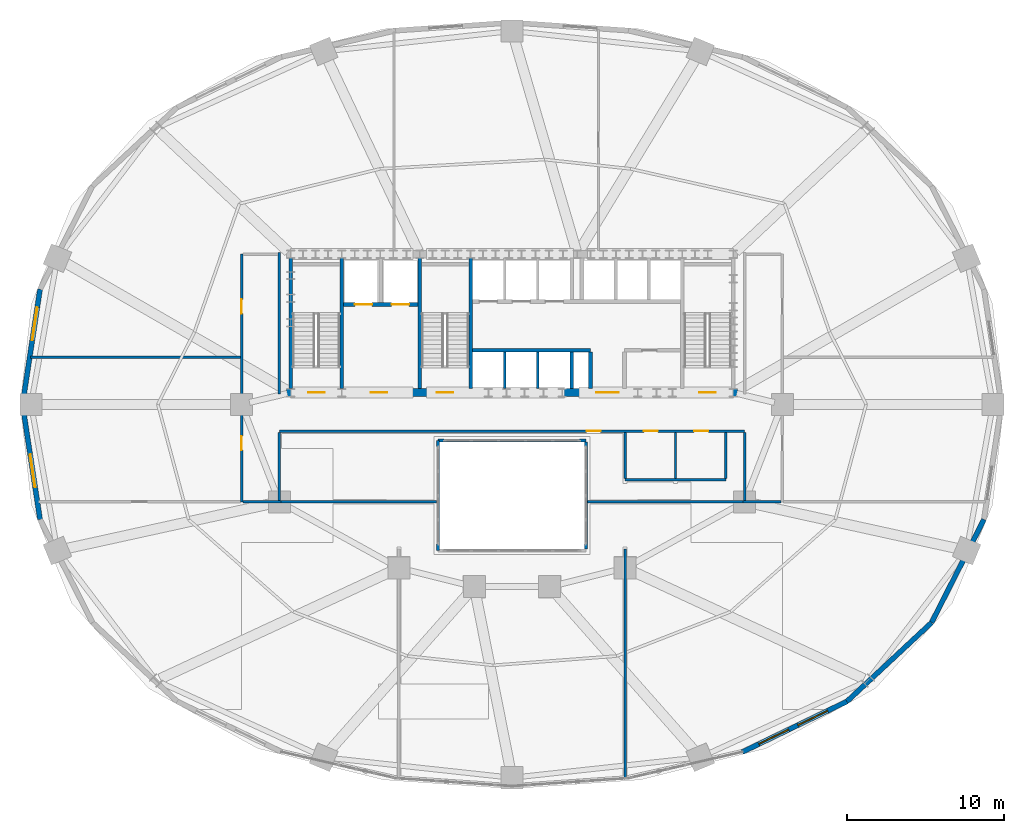
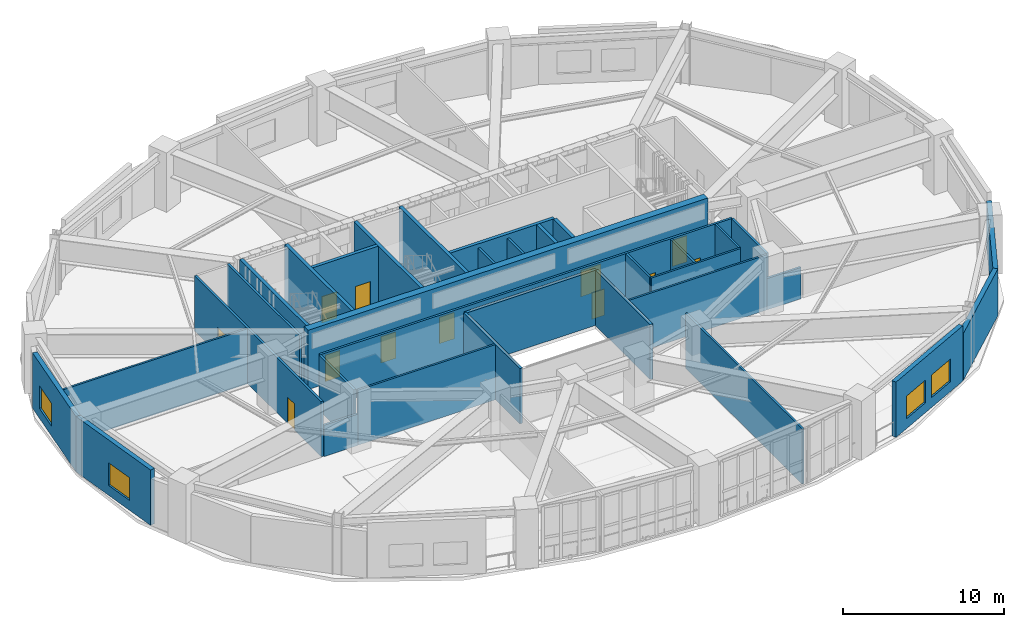
# One storey, part 9 of 13: 34 walls, 12 doors, 4 windows, 16 openings.
"""IFC4 building model written with IfcOpenShell, lengths in metres."""

from ifc_helpers import new_model, si_unit, direction, frame, frame_2d, origin, place, context, subcontext, project, spatial, rectangle, extrude, material, layer, layer_set, type_object, element, fill, save


model = new_model("IFC4")

# Units and contexts
model_context = context("Model", 3, precision=1e-05, world=origin(), true_north=direction((0.0, 1.0)))
body_context = subcontext(model_context, "Body", "Model", "MODEL_VIEW")
ifc_project = project(units=[si_unit("LENGTHUNIT", "METRE"), si_unit("AREAUNIT", "SQUARE_METRE"), si_unit("VOLUMEUNIT", "CUBIC_METRE"), si_unit("PLANEANGLEUNIT", "RADIAN"), si_unit("MASSUNIT", "GRAM", prefix="KILO")], contexts=[model_context])

# Site, building, storey
site_placement = place(None, origin())
site = spatial("IfcSite", under=ifc_project, at=site_placement, CompositionType="ELEMENT")
building_placement = place(site_placement, origin())
building = spatial("IfcBuilding", under=site, at=building_placement, Name="Haldorwick Loom Tower", CompositionType="ELEMENT")
storey_placement = place(building_placement, frame((0.0, 0.0, 72.300048828125)))
storey = spatial("IfcBuildingStorey", under=building, at=storey_placement, Name="L19", CompositionType="ELEMENT", Elevation=72.300048828125)

# Wall, opening, window
ifc_material_1 = material(Name="Pressed Clay Face Brick and Insulated Masonry Backup Assembly", Category="masonry")
ifc_layer_1 = layer(ifc_material_1, 0.320068359375, Name="Pressed Clay Face Brick and Insulated Masonry Backup Assembly", Category="masonry")
ifc_layer_set_1 = layer_set([ifc_layer_1], Name="Pressed Clay Face Brick and Insulated Masonry Backup Assembly")
wall_type_1 = type_object("IfcWallType", Name="ARC-WL-EXT320", PredefinedType="STANDARD", material=ifc_layer_set_1)
wall_1_placement = place(storey_placement, frame((5.978271484375, 33.320556640625, 0.0), z_axis=(0.0, 0.0, 1.0), x_axis=(-0.150476322528, -0.988613613278, 0.0)))
wall_1 = element("IfcWall", 1, at=wall_1_placement, inside=storey, type_object=wall_type_1, Name="L19 Brick Pier and Spandrel Wall 12", PredefinedType="STANDARD", context=body_context, shape_type="SweptSolid", body=[
    extrude(rectangle(XDim=7.40478515625, YDim=0.320068359375, at=frame_2d((3.702392578125, 0.0))), origin(), (0.0, 0.0, 1.0), 4.199951171875),
])
opening_1_placement = place(wall_1_placement, frame((1.17138671875, 0.0, 0.75)))
opening_1 = element("IfcOpeningElement", 2, at=opening_1_placement, cuts=wall_1, Name="Opening W-04", PredefinedType="OPENING", context=body_context, shape_type="SweptSolid", body=[
    extrude(rectangle(XDim=2.10009765625, YDim=1.719970703125, at=frame_2d((1.050048828125, 0.85986328125))), frame((0.0, 0.169921875, 0.0), z_axis=(0.0, -1.0, 0.0), x_axis=(1.0, 0.0, 0.0)), (0.0, 0.0, 1.0), 0.340087890625),
])
ifc_material_2 = material(Name="Triple-Glazed Low-E Argon Insulated Glazing Unit", Category="glass")
window_type = type_object("IfcWindowType", Name="ARC-WIN-W210", PartitioningType="SINGLE_PANEL", PredefinedType="WINDOW", material=ifc_material_2)
window_1_placement = place(opening_1_placement, origin())
window_1 = element("IfcWindow", 3, at=window_1_placement, inside=storey, type_object=window_type, Name="L19 Deep-Set Zone 7A Window 12", OverallHeight=1.719970703125, OverallWidth=2.10009765625, PartitioningType="SINGLE_PANEL", PredefinedType="WINDOW", context=body_context, shape_type="SweptSolid", body=[
    extrude(rectangle(XDim=2.10009765625, YDim=1.719970703125, at=frame_2d((1.050048828125, 0.85986328125))), frame((0.0, 0.030029296875, 0.0), z_axis=(0.0, -1.0, 0.0), x_axis=(1.0, 0.0, 0.0)), (0.0, 0.0, 1.0), 0.06005859375),
])
fill(opening_1, window_1)

wall_2_placement = place(storey_placement, frame((4.864013671875, 26.0, 0.0), z_axis=(0.0, 0.0, 1.0), x_axis=(0.150476322528, -0.988613613278, 0.0)))
wall_2 = element("IfcWall", 4, at=wall_2_placement, inside=storey, type_object=wall_type_1, Name="L19 Brick Pier and Spandrel Wall 13", PredefinedType="STANDARD", context=body_context, shape_type="SweptSolid", body=[
    extrude(rectangle(XDim=7.40478515625, YDim=0.320068359375, at=frame_2d((3.702392578125, 0.0))), origin(), (0.0, 0.0, 1.0), 4.199951171875),
])
opening_2_placement = place(wall_2_placement, frame((3.22314453125, 0.0, 0.75)))
opening_2 = element("IfcOpeningElement", 5, at=opening_2_placement, cuts=wall_2, Name="Opening W-04", PredefinedType="OPENING", context=body_context, shape_type="SweptSolid", body=[
    extrude(rectangle(XDim=2.10009765625, YDim=1.719970703125, at=frame_2d((1.050048828125, 0.85986328125))), frame((0.0, 0.169921875, 0.0), z_axis=(0.0, -1.0, 0.0), x_axis=(1.0, 0.0, 0.0)), (0.0, 0.0, 1.0), 0.340087890625),
])
window_2_placement = place(opening_2_placement, origin())
window_2 = element("IfcWindow", 6, at=window_2_placement, inside=storey, type_object=window_type, Name="L19 Deep-Set Zone 7A Window 13", OverallHeight=1.719970703125, OverallWidth=2.10009765625, PartitioningType="SINGLE_PANEL", PredefinedType="WINDOW", context=body_context, shape_type="SweptSolid", body=[
    extrude(rectangle(XDim=2.10009765625, YDim=1.719970703125, at=frame_2d((1.050048828125, 0.85986328125))), frame((0.0, 0.030029296875, 0.0), z_axis=(0.0, -1.0, 0.0), x_axis=(1.0, 0.0, 0.0)), (0.0, 0.0, 1.0), 0.06005859375),
])
fill(opening_2, window_2)

# Wall, openings, windows
wall_3_placement = place(storey_placement, frame((50.644775390625, 3.88427734375, 0.0), z_axis=(0.0, 0.0, 1.0), x_axis=(0.900295710431, 0.435278800057, 0.0)))
wall_3 = element("IfcWall", 7, at=wall_3_placement, inside=storey, type_object=wall_type_1, Name="L19 Brick Pier and Spandrel Wall 21", PredefinedType="STANDARD", context=body_context, shape_type="SweptSolid", body=[
    extrude(rectangle(XDim=7.39697265625, YDim=0.320068359375, at=frame_2d((3.698486328125, 0.0))), origin(), (0.0, 0.0, 1.0), 4.199951171875),
])
opening_3_placement = place(wall_3_placement, frame((1.169189453125, 0.0, 0.75)))
opening_3 = element("IfcOpeningElement", 8, at=opening_3_placement, cuts=wall_3, Name="Opening W-04", PredefinedType="OPENING", context=body_context, shape_type="SweptSolid", body=[
    extrude(rectangle(XDim=2.10009765625, YDim=1.719970703125, at=frame_2d((1.050048828125, 0.85986328125))), frame((0.0, 0.169921875, 0.0), z_axis=(0.0, -1.0, 0.0), x_axis=(1.0, 0.0, 0.0)), (0.0, 0.0, 1.0), 0.340087890625),
])
opening_4_placement = place(wall_3_placement, frame((3.937744140625, 0.0, 0.75)))
opening_4 = element("IfcOpeningElement", 9, at=opening_4_placement, cuts=wall_3, Name="Opening W-04", PredefinedType="OPENING", context=body_context, shape_type="SweptSolid", body=[
    extrude(rectangle(XDim=2.10009765625, YDim=1.719970703125, at=frame_2d((1.050048828125, 0.85986328125))), frame((0.0, 0.169921875, 0.0), z_axis=(0.0, -1.0, 0.0), x_axis=(1.0, 0.0, 0.0)), (0.0, 0.0, 1.0), 0.340087890625),
])
window_3_placement = place(opening_3_placement, origin())
window_3 = element("IfcWindow", 10, at=window_3_placement, inside=storey, type_object=window_type, Name="L19 Deep-Set Zone 7A Window 21", OverallHeight=1.719970703125, OverallWidth=2.10009765625, PartitioningType="SINGLE_PANEL", PredefinedType="WINDOW", context=body_context, shape_type="SweptSolid", body=[
    extrude(rectangle(XDim=2.10009765625, YDim=1.719970703125, at=frame_2d((1.050048828125, 0.85986328125))), frame((0.0, 0.030029296875, 0.0), z_axis=(0.0, -1.0, 0.0), x_axis=(1.0, 0.0, 0.0)), (0.0, 0.0, 1.0), 0.06005859375),
])
fill(opening_3, window_3)
window_4_placement = place(opening_4_placement, origin())
window_4 = element("IfcWindow", 11, at=window_4_placement, inside=storey, type_object=window_type, Name="L19 Deep-Set Zone 7A Window 21", OverallHeight=1.719970703125, OverallWidth=2.10009765625, PartitioningType="SINGLE_PANEL", PredefinedType="WINDOW", context=body_context, shape_type="SweptSolid", body=[
    extrude(rectangle(XDim=2.10009765625, YDim=1.719970703125, at=frame_2d((1.050048828125, 0.85986328125))), frame((0.0, 0.030029296875, 0.0), z_axis=(0.0, -1.0, 0.0), x_axis=(1.0, 0.0, 0.0)), (0.0, 0.0, 1.0), 0.06005859375),
])
fill(opening_4, window_4)

# Walls
for number, where, z_axis, x_axis, name in (
    (12, (57.30419921875, 7.10400390625, 0.0), (0.0, 0.0, 1.0), (0.73176101237, 0.681561311091, 0.0), "L19 Brick Pier and Spandrel Wall 22"),
    (13, (62.688720703125, 12.119140625, 0.0), (0.0, 0.0, 1.0), (0.452950855928, 0.891535485617, 0.0), "L19 Brick Pier and Spandrel Wall 23"),
):
    element("IfcWall", number, at=place(storey_placement, frame(where, z_axis=z_axis, x_axis=x_axis)), inside=storey, type_object=wall_type_1, Name=name, PredefinedType="STANDARD", context=body_context, shape_type="SweptSolid", body=[
        extrude(rectangle(XDim=7.3583984375, YDim=0.320068359375, at=frame_2d((3.67919921875, 0.0))), origin(), (0.0, 0.0, 1.0), 3.558837890625),
    ])

# Wall, openings, doors
ifc_material_3 = material(Name="Fire-Rated Type X Gypsum Stud Assembly EI 60")
ifc_layer_2 = layer(ifc_material_3, 0.159912109375, Name="Fire-Rated Type X Gypsum Stud Assembly EI 60")
ifc_layer_set_2 = layer_set([ifc_layer_2], Name="Fire-Rated Type X Gypsum Stud Assembly EI 60")
wall_type_2 = type_object("IfcWallType", Name="ARC-WL-FIRE160", PredefinedType="PARTITIONING", material=ifc_layer_set_2)
wall_4_placement = place(storey_placement, frame((21.199951171875, 24.300048828125, 0.0), z_axis=(0.0, 0.0, 1.0), x_axis=(1.0, 0.0, 0.0)))
wall_4 = element("IfcWall", 14, at=wall_4_placement, inside=storey, type_object=wall_type_2, Name="L19 Interior Partition L19-CS", PredefinedType="PARTITIONING", context=body_context, shape_type="SweptSolid", body=[
    extrude(rectangle(XDim=29.60009765625, YDim=0.159912109375, at=frame_2d((14.800048828125, 0.0))), origin(), (0.0, 0.0, 1.0), 4.18505859375),
])
opening_5_placement = place(wall_4_placement, frame((19.5400390625, 0.0, 0.0)))
opening_5 = element("IfcOpeningElement", 15, at=opening_5_placement, cuts=wall_4, Name="Opening D-FD60A", PredefinedType="OPENING", context=body_context, shape_type="SweptSolid", body=[
    extrude(rectangle(XDim=0.89990234375, YDim=2.0, at=frame_2d((0.449951171875, 1.0))), frame((0.0, 0.08984375, 0.0), z_axis=(0.0, -1.0, 0.0), x_axis=(1.0, 0.0, 0.0)), (0.0, 0.0, 1.0), 0.179931640625),
])
opening_6_placement = place(wall_4_placement, frame((26.388916015625, 0.0, 0.0)))
opening_6 = element("IfcOpeningElement", 16, at=opening_6_placement, cuts=wall_4, Name="Opening D-FD60A", PredefinedType="OPENING", context=body_context, shape_type="SweptSolid", body=[
    extrude(rectangle(XDim=0.89990234375, YDim=2.0, at=frame_2d((0.449951171875, 1.0))), frame((0.0, 0.08984375, 0.0), z_axis=(0.0, -1.0, 0.0), x_axis=(1.0, 0.0, 0.0)), (0.0, 0.0, 1.0), 0.179931640625),
])
opening_7_placement = place(wall_4_placement, frame((23.185791015625, 0.0, 0.0)))
opening_7 = element("IfcOpeningElement", 17, at=opening_7_placement, cuts=wall_4, Name="Opening D-FD60A", PredefinedType="OPENING", context=body_context, shape_type="SweptSolid", body=[
    extrude(rectangle(XDim=0.89990234375, YDim=2.0, at=frame_2d((0.449951171875, 1.0))), frame((0.0, 0.08984375, 0.0), z_axis=(0.0, -1.0, 0.0), x_axis=(1.0, 0.0, 0.0)), (0.0, 0.0, 1.0), 0.179931640625),
])
ifc_material_4 = material(Name="Hollow Steel Fire Door Assembly", Category="steel")
door_type_1 = type_object("IfcDoorType", Name="ARC-DR-FD60-90", OperationType="NOTDEFINED", PredefinedType="DOOR", material=ifc_material_4)
door_1_placement = place(opening_5_placement, origin())
door_1 = element("IfcDoor", 18, at=door_1_placement, inside=storey, type_object=door_type_1, Name="L19 L19 Central Transfer Corridor to Community Lending Library 2 Door", OperationType="SINGLE_SWING_RIGHT", OverallHeight=2.0, OverallWidth=0.89990234375, PredefinedType="DOOR", context=body_context, shape_type="SweptSolid", body=[
    extrude(rectangle(XDim=0.89990234375, YDim=2.0, at=frame_2d((0.449951171875, 1.0))), frame((0.0, 0.02490234375, 0.0), z_axis=(0.0, -1.0, 0.0), x_axis=(1.0, 0.0, 0.0)), (0.0, 0.0, 1.0), 0.050048828125),
])
fill(opening_5, door_1)
door_2_placement = place(opening_6_placement, origin())
door_2 = element("IfcDoor", 19, at=door_2_placement, inside=storey, type_object=door_type_1, Name="L19 L19 Central Transfer Corridor to Accessible WC Door", OperationType="SINGLE_SWING_LEFT", OverallHeight=2.0, OverallWidth=0.89990234375, PredefinedType="DOOR", context=body_context, shape_type="SweptSolid", body=[
    extrude(rectangle(XDim=0.89990234375, YDim=2.0, at=frame_2d((0.449951171875, 1.0))), frame((0.0, 0.02490234375, 0.0), z_axis=(0.0, -1.0, 0.0), x_axis=(1.0, 0.0, 0.0)), (0.0, 0.0, 1.0), 0.050048828125),
])
fill(opening_6, door_2)
door_3_placement = place(opening_7_placement, origin())
door_3 = element("IfcDoor", 20, at=door_3_placement, inside=storey, type_object=door_type_1, Name="L19 L19 Central Transfer Corridor to Public Washroom Door", OperationType="SINGLE_SWING_RIGHT", OverallHeight=2.0, OverallWidth=0.89990234375, PredefinedType="DOOR", context=body_context, shape_type="SweptSolid", body=[
    extrude(rectangle(XDim=0.89990234375, YDim=2.0, at=frame_2d((0.449951171875, 1.0))), frame((0.0, 0.02490234375, 0.0), z_axis=(0.0, -1.0, 0.0), x_axis=(1.0, 0.0, 0.0)), (0.0, 0.0, 1.0), 0.050048828125),
])
fill(opening_7, door_3)

wall_5_placement = place(storey_placement, frame((18.800048828125, 19.800048828125, 0.0), z_axis=(0.0, 0.0, 1.0), x_axis=(0.0, 1.0, 0.0)))
wall_5 = element("IfcWall", 21, at=wall_5_placement, inside=storey, type_object=wall_type_2, Name="L19 Interior Partition L19-CW0", PredefinedType="PARTITIONING", context=body_context, shape_type="SweptSolid", body=[
    extrude(rectangle(XDim=15.75, YDim=0.159912109375, at=frame_2d((7.875, 0.0))), origin(), (0.0, 0.0, 1.0), 4.18505859375),
])
opening_8_placement = place(wall_5_placement, frame((3.284912109375, 0.0, 0.0)))
opening_8 = element("IfcOpeningElement", 22, at=opening_8_placement, cuts=wall_5, Name="Opening D-FD60A", PredefinedType="OPENING", context=body_context, shape_type="SweptSolid", body=[
    extrude(rectangle(XDim=0.89990234375, YDim=2.0, at=frame_2d((0.449951171875, 1.0))), frame((0.0, 0.08984375, 0.0), z_axis=(0.0, -1.0, 0.0), x_axis=(1.0, 0.0, 0.0)), (0.0, 0.0, 1.0), 0.179931640625),
])
opening_9_placement = place(wall_5_placement, frame((11.972412109375, 0.0, 0.0)))
opening_9 = element("IfcOpeningElement", 23, at=opening_9_placement, cuts=wall_5, Name="Opening D-FD60A", PredefinedType="OPENING", context=body_context, shape_type="SweptSolid", body=[
    extrude(rectangle(XDim=0.89990234375, YDim=2.0, at=frame_2d((0.449951171875, 1.0))), frame((0.0, 0.08984375, 0.0), z_axis=(0.0, -1.0, 0.0), x_axis=(1.0, 0.0, 0.0)), (0.0, 0.0, 1.0), 0.179931640625),
])
door_4_placement = place(opening_8_placement, frame((0.89990234375, 0.0, 0.0), z_axis=(0.0, 0.0, 1.0), x_axis=(-1.0, 0.0, 0.0)))
door_4 = element("IfcDoor", 24, at=door_4_placement, inside=storey, type_object=door_type_1, Name="L19 Parent Advisory Office 5 to L19 Central Transfer Corridor Door", OperationType="SINGLE_SWING_LEFT", OverallHeight=2.0, OverallWidth=0.89990234375, PredefinedType="DOOR", context=body_context, shape_type="SweptSolid", body=[
    extrude(rectangle(XDim=0.89990234375, YDim=2.0, at=frame_2d((0.449951171875, 1.0))), frame((0.0, 0.02490234375, 0.0), z_axis=(0.0, -1.0, 0.0), x_axis=(1.0, 0.0, 0.0)), (0.0, 0.0, 1.0), 0.050048828125),
])
fill(opening_8, door_4)
door_5_placement = place(opening_9_placement, frame((0.89990234375, 0.0, 0.0), z_axis=(0.0, 0.0, 1.0), x_axis=(-1.0, 0.0, 0.0)))
door_5 = element("IfcDoor", 25, at=door_5_placement, inside=storey, type_object=door_type_1, Name="L19 Youth Activity Hall 8 to L19 Central Transfer Corridor Door", OperationType="SINGLE_SWING_LEFT", OverallHeight=2.0, OverallWidth=0.89990234375, PredefinedType="DOOR", context=body_context, shape_type="SweptSolid", body=[
    extrude(rectangle(XDim=0.89990234375, YDim=2.0, at=frame_2d((0.449951171875, 1.0))), frame((0.0, 0.02490234375, 0.0), z_axis=(0.0, -1.0, 0.0), x_axis=(1.0, 0.0, 0.0)), (0.0, 0.0, 1.0), 0.050048828125),
])
fill(opening_9, door_5)

# Walls
wall_6_placement = place(storey_placement, frame((18.883056640625, 19.800048828125, 0.0), z_axis=(0.0, 0.0, 1.0), x_axis=(1.0, 0.0, 0.0)))
element("IfcWall", 26, at=wall_6_placement, inside=storey, type_object=wall_type_2, Name="L19 Interior Partition L19-CWS", PredefinedType="PARTITIONING", context=body_context, shape_type="SweptSolid", body=[
    extrude(rectangle(XDim=2.43701171875, YDim=0.159912109375, at=frame_2d((1.218505859375, 0.0))), origin(), (0.0, 0.0, 1.0), 2.375),
])
wall_7_placement = place(storey_placement, frame((21.199951171875, 19.883056640625, 0.0), z_axis=(0.0, 0.0, 1.0), x_axis=(0.0, 1.0, 0.0)))
element("IfcWall", 27, at=wall_7_placement, inside=storey, type_object=wall_type_2, Name="L19 Interior Partition L19-CW1", PredefinedType="PARTITIONING", context=body_context, shape_type="SweptSolid", body=[
    extrude(rectangle(XDim=4.333984375, YDim=0.159912109375, at=frame_2d((2.1669921875, 0.0))), origin(), (0.0, 0.0, 1.0), 4.18505859375),
])
wall_8_placement = place(storey_placement, frame((21.199951171875, 26.64990234375, 0.0), z_axis=(0.0, 0.0, 1.0), x_axis=(0.0, 1.0, 0.0)))
element("IfcWall", 28, at=wall_8_placement, inside=storey, type_object=wall_type_2, Name="L19 Interior Partition L19-CW2", PredefinedType="PARTITIONING", context=body_context, shape_type="SweptSolid", body=[
    extrude(rectangle(XDim=9.0, YDim=0.159912109375, at=frame_2d((4.5, 0.0))), origin(), (0.0, 0.0, 1.0), 4.18505859375),
])
wall_9_placement = place(storey_placement, frame((50.679931640625, 19.800048828125, 0.0), z_axis=(0.0, 0.0, 1.0), x_axis=(1.0, 0.0, 0.0)))
element("IfcWall", 29, at=wall_9_placement, inside=storey, type_object=wall_type_2, Name="L19 Interior Partition L19-CES", PredefinedType="PARTITIONING", context=body_context, shape_type="SweptSolid", body=[
    extrude(rectangle(XDim=2.43701171875, YDim=0.159912109375, at=frame_2d((1.218505859375, 0.0))), origin(), (0.0, 0.0, 1.0), 2.375),
])
wall_10_placement = place(storey_placement, frame((50.800048828125, 19.883056640625, 0.0), z_axis=(0.0, 0.0, 1.0), x_axis=(0.0, 1.0, 0.0)))
element("IfcWall", 30, at=wall_10_placement, inside=storey, type_object=wall_type_2, Name="L19 Interior Partition L19-CE1", PredefinedType="PARTITIONING", context=body_context, shape_type="SweptSolid", body=[
    extrude(rectangle(XDim=4.333984375, YDim=0.159912109375, at=frame_2d((2.1669921875, 0.0))), origin(), (0.0, 0.0, 1.0), 4.18505859375),
])
ifc_material_5 = material(Name="Fire-Rated Type X Gypsum Stud Assembly EI 120")
ifc_layer_3 = layer(ifc_material_5, 0.199951171875, Name="Fire-Rated Type X Gypsum Stud Assembly EI 120")
ifc_layer_set_3 = layer_set([ifc_layer_3], Name="Fire-Rated Type X Gypsum Stud Assembly EI 120")
wall_type_3 = type_object("IfcWallType", Name="ARC-WL-FIRE200", PredefinedType="PARTITIONING", material=ifc_layer_set_3)
wall_11_placement = place(storey_placement, frame((31.300048828125, 23.699951171875, 0.0), z_axis=(0.0, 0.0, 1.0), x_axis=(1.0, 0.0, 0.0)))
element("IfcWall", 31, at=wall_11_placement, inside=storey, type_object=wall_type_3, Name="L19 Atrium Fire Wall", PredefinedType="PARTITIONING", context=body_context, shape_type="SweptSolid", body=[
    extrude(rectangle(XDim=9.39990234375, YDim=0.199951171875, at=frame_2d((4.699951171875, 0.0))), origin(), (0.0, 0.0, 1.0), 4.18505859375),
])
wall_12_placement = place(storey_placement, frame((31.300048828125, 16.699951171875, 0.0), z_axis=(0.0, 0.0, 1.0), x_axis=(0.0, 1.0, 0.0)))
element("IfcWall", 32, at=wall_12_placement, inside=storey, type_object=wall_type_3, Name="L19 Atrium Fire Wall", PredefinedType="PARTITIONING", context=body_context, shape_type="SweptSolid", body=[
    extrude(rectangle(XDim=7.0, YDim=0.199951171875, at=frame_2d((3.5, 0.0))), origin(), (0.0, 0.0, 1.0), 4.18505859375),
])
wall_13_placement = place(storey_placement, frame((40.699951171875, 23.596923828125, 0.0), z_axis=(0.0, 0.0, 1.0), x_axis=(0.0, -1.0, 0.0)))
element("IfcWall", 33, at=wall_13_placement, inside=storey, type_object=wall_type_3, Name="L19 Atrium Fire Wall", PredefinedType="PARTITIONING", context=body_context, shape_type="SweptSolid", body=[
    extrude(rectangle(XDim=6.7939453125, YDim=0.199951171875, at=frame_2d((3.39697265625, 0.0))), origin(), (0.0, 0.0, 1.0), 4.18505859375),
])
ifc_layer_4 = layer(ifc_material_3, 0.139892578125, Name="Fire-Rated Type X Gypsum Stud Assembly EI 60")
ifc_layer_set_4 = layer_set([ifc_layer_4], Name="Fire-Rated Type X Gypsum Stud Assembly EI 60")
wall_type_4 = type_object("IfcWallType", Name="ARC-WL-PART140", PredefinedType="PARTITIONING", material=ifc_layer_set_4)
wall_14_placement = place(storey_placement, frame((43.199951171875, 21.199951171875, 0.0), z_axis=(0.0, 0.0, 1.0), x_axis=(1.0, 0.0, 0.0)))
element("IfcWall", 34, at=wall_14_placement, inside=storey, type_object=wall_type_4, Name="L19 Interior Partition L19-WC1", PredefinedType="PARTITIONING", context=body_context, shape_type="SweptSolid", body=[
    extrude(rectangle(XDim=6.400146484375, YDim=0.139892578125, at=frame_2d((3.2001953125, 0.0))), origin(), (0.0, 0.0, 1.0), 4.18505859375),
])
for number, where, z_axis, x_axis, name in (
    (35, (46.39990234375, 21.27294921875, 0.0), (0.0, 0.0, 1.0), (0.0, 1.0, 0.0), "L19 Interior Partition L19-WC2"),
    (36, (43.199951171875, 21.27294921875, 0.0), (0.0, 0.0, 1.0), (0.0, 1.0, 0.0), "L19 Interior Partition L19-WC3"),
    (37, (49.60009765625, 21.27294921875, 0.0), (0.0, 0.0, 1.0), (0.0, 1.0, 0.0), "L19 Interior Partition L19-WC4"),
):
    element("IfcWall", number, at=place(storey_placement, frame(where, z_axis=z_axis, x_axis=x_axis)), inside=storey, type_object=wall_type_4, Name=name, PredefinedType="PARTITIONING", context=body_context, shape_type="SweptSolid", body=[
        extrude(rectangle(XDim=2.944091796875, YDim=0.139892578125, at=frame_2d((1.47216796875, 0.0))), origin(), (0.0, 0.0, 1.0), 4.18505859375),
    ])
wall_15_placement = place(storey_placement, frame((43.199951171875, 2.27001953125, 0.0), z_axis=(0.0, 0.0, 1.0), x_axis=(0.0, 1.0, 0.0)))
element("IfcWall", 38, at=wall_15_placement, inside=storey, type_object=wall_type_4, Name="L19 Interior Partition L19-S-1", PredefinedType="PARTITIONING", context=body_context, shape_type="SweptSolid", body=[
    extrude(rectangle(XDim=14.530029296875, YDim=0.139892578125, at=frame_2d((7.26513671875, 0.0))), origin(), (0.0, 0.0, 1.0), 4.18505859375),
])
for number, where, z_axis, x_axis, name in (
    (39, (21.320068359375, 19.800048828125, 0.0), (0.0, 0.0, 1.0), (1.0, 0.0, 0.0), "L19 Interior Partition L19-WL-S"),
    (40, (40.802978515625, 19.800048828125, 0.0), (0.0, 0.0, 1.0), (1.0, 0.0, 0.0), "L19 Interior Partition L19-EL-S"),
):
    element("IfcWall", number, at=place(storey_placement, frame(where, z_axis=z_axis, x_axis=x_axis)), inside=storey, type_object=wall_type_4, Name=name, PredefinedType="PARTITIONING", context=body_context, shape_type="SweptSolid", body=[
        extrude(rectangle(XDim=9.876953125, YDim=0.139892578125, at=frame_2d((4.9384765625, 0.0))), origin(), (0.0, 0.0, 1.0), 4.18505859375),
    ])
wall_16_placement = place(storey_placement, frame((5.386474609375, 29.0, 0.0), z_axis=(0.0, 0.0, 1.0), x_axis=(1.0, 0.0, 0.0)))
element("IfcWall", 41, at=wall_16_placement, inside=storey, type_object=wall_type_4, Name="L19 Interior Partition L19-WL-N", PredefinedType="PARTITIONING", context=body_context, shape_type="SweptSolid", body=[
    extrude(rectangle(XDim=13.33056640625, YDim=0.139892578125, at=frame_2d((6.665283203125, 0.0))), origin(), (0.0, 0.0, 1.0), 4.18505859375),
])
ifc_layer_5 = layer(ifc_material_5, 0.1650390625, Name="Fire-Rated Type X Gypsum Stud Assembly EI 120")
ifc_layer_set_5 = layer_set([ifc_layer_5], Name="Fire-Rated Type X Gypsum Stud Assembly EI 120")
wall_type_5 = type_object("IfcWallType", Name="ARC-WL-SHAFT160", PredefinedType="MOVABLE", material=ifc_layer_set_5)
for number, where, z_axis, x_axis, name in (
    (42, (35.550048828125, 27.0029296875, 0.0), (0.0, 0.0, 1.0), (0.0, 1.0, 0.0), "L19 Mid-Rise Hoistway Divider 1"),
    (43, (37.64990234375, 27.0029296875, 0.0), (0.0, 0.0, 1.0), (0.0, 1.0, 0.0), "L19 Mid-Rise Hoistway Divider 2"),
):
    element("IfcWall", number, at=place(storey_placement, frame(where, z_axis=z_axis, x_axis=x_axis)), inside=storey, type_object=wall_type_5, Name=name, PredefinedType="MOVABLE", context=body_context, shape_type="SweptSolid", body=[
        extrude(rectangle(XDim=2.323974609375, YDim=0.159912109375, at=frame_2d((1.162109375, 0.0))), origin(), (0.0, 0.0, 1.0), 4.18505859375),
    ])

# Wall, openings, doors
ifc_material_6 = material(Name="Concrete C60 (60 MPa)", Category="concrete")
ifc_layer_6 = layer(ifc_material_6, 0.5, Name="Concrete C60 (60 MPa)", Category="concrete")
ifc_layer_set_6 = layer_set([ifc_layer_6], Name="Concrete C60 (60 MPa)")
wall_type_6 = type_object("IfcWallType", Name="STR-WL-CORE500", PredefinedType="SHEAR", material=ifc_layer_set_6)
wall_17_placement = place(storey_placement, frame((21.64990234375, 26.75, 0.0), z_axis=(0.0, 0.0, 1.0), x_axis=(1.0, 0.0, 0.0)))
wall_17 = element("IfcWall", 44, at=wall_17_placement, inside=storey, type_object=wall_type_6, Name="L19 Core Shear Wall S", PredefinedType="SHEAR", context=body_context, shape_type="SweptSolid", body=[
    extrude(rectangle(XDim=28.7001953125, YDim=0.5, at=frame_2d((14.35009765625, 0.0))), origin(), (0.0, 0.0, 1.0), 4.5),
])
opening_10_placement = place(wall_17_placement, frame((1.375, 0.0, 0.0)))
opening_10 = element("IfcOpeningElement", 45, at=opening_10_placement, cuts=wall_17, Name="Opening D-FD60", PredefinedType="OPENING", context=body_context, shape_type="SweptSolid", body=[
    extrude(rectangle(XDim=1.050048828125, YDim=2.0, at=frame_2d((0.52490234375, 1.0))), frame((0.0, 0.260009765625, 0.0), z_axis=(0.0, -1.0, 0.0), x_axis=(1.0, 0.0, 0.0)), (0.0, 0.0, 1.0), 0.52001953125),
])
opening_11_placement = place(wall_17_placement, frame((5.375, 0.0, 0.0)))
opening_11 = element("IfcOpeningElement", 46, at=opening_11_placement, cuts=wall_17, Name="Opening D-FD60", PredefinedType="OPENING", context=body_context, shape_type="SweptSolid", body=[
    extrude(rectangle(XDim=1.050048828125, YDim=2.0, at=frame_2d((0.52490234375, 1.0))), frame((0.0, 0.260009765625, 0.0), z_axis=(0.0, -1.0, 0.0), x_axis=(1.0, 0.0, 0.0)), (0.0, 0.0, 1.0), 0.52001953125),
])
opening_12_placement = place(wall_17_placement, frame((9.574951171875, 0.0, 0.0)))
opening_12 = element("IfcOpeningElement", 47, at=opening_12_placement, cuts=wall_17, Name="Opening D-FD60", PredefinedType="OPENING", context=body_context, shape_type="SweptSolid", body=[
    extrude(rectangle(XDim=1.050048828125, YDim=2.0, at=frame_2d((0.52490234375, 1.0))), frame((0.0, 0.260009765625, 0.0), z_axis=(0.0, -1.0, 0.0), x_axis=(1.0, 0.0, 0.0)), (0.0, 0.0, 1.0), 0.52001953125),
])
opening_13_placement = place(wall_17_placement, frame((19.705078125, 0.0, 0.0)))
opening_13 = element("IfcOpeningElement", 48, at=opening_13_placement, cuts=wall_17, Name="Opening D-LB15", PredefinedType="OPENING", context=body_context, shape_type="SweptSolid", body=[
    extrude(rectangle(XDim=1.449951171875, YDim=2.0, at=frame_2d((0.72509765625, 1.0))), frame((0.0, 0.260009765625, 0.0), z_axis=(0.0, -1.0, 0.0), x_axis=(1.0, 0.0, 0.0)), (0.0, 0.0, 1.0), 0.52001953125),
])
opening_14_placement = place(wall_17_placement, frame((26.27490234375, 0.0, 0.0)))
opening_14 = element("IfcOpeningElement", 49, at=opening_14_placement, cuts=wall_17, Name="Opening D-FD60", PredefinedType="OPENING", context=body_context, shape_type="SweptSolid", body=[
    extrude(rectangle(XDim=1.050048828125, YDim=2.0, at=frame_2d((0.52490234375, 1.0))), frame((0.0, 0.260009765625, 0.0), z_axis=(0.0, -1.0, 0.0), x_axis=(1.0, 0.0, 0.0)), (0.0, 0.0, 1.0), 0.52001953125),
])
door_type_2 = type_object("IfcDoorType", Name="ARC-DR-FD60", OperationType="NOTDEFINED", PredefinedType="DOOR", material=ifc_material_4)
door_6_placement = place(opening_10_placement, origin())
door_6 = element("IfcDoor", 50, at=door_6_placement, inside=storey, type_object=door_type_2, Name="L19 Exit Stair ST-01 Fire Door", OperationType="SINGLE_SWING_LEFT", OverallHeight=2.0, OverallWidth=1.050048828125, PredefinedType="DOOR", context=body_context, shape_type="SweptSolid", body=[
    extrude(rectangle(XDim=1.050048828125, YDim=2.0, at=frame_2d((0.52490234375, 1.0))), frame((0.0, 0.02490234375, 0.0), z_axis=(0.0, -1.0, 0.0), x_axis=(1.0, 0.0, 0.0)), (0.0, 0.0, 1.0), 0.050048828125),
])
fill(opening_10, door_6)
door_7_placement = place(opening_11_placement, origin())
door_7 = element("IfcDoor", 51, at=door_7_placement, inside=storey, type_object=door_type_2, Name="L19 Firefighting Lift Lobby Fire Door", OperationType="SINGLE_SWING_RIGHT", OverallHeight=2.0, OverallWidth=1.050048828125, PredefinedType="DOOR", context=body_context, shape_type="SweptSolid", body=[
    extrude(rectangle(XDim=1.050048828125, YDim=2.0, at=frame_2d((0.52490234375, 1.0))), frame((0.0, 0.02490234375, 0.0), z_axis=(0.0, -1.0, 0.0), x_axis=(1.0, 0.0, 0.0)), (0.0, 0.0, 1.0), 0.050048828125),
])
fill(opening_11, door_7)
door_8_placement = place(opening_12_placement, origin())
door_8 = element("IfcDoor", 52, at=door_8_placement, inside=storey, type_object=door_type_2, Name="L19 Exit Stair ST-03 Fire Door", OperationType="SINGLE_SWING_LEFT", OverallHeight=2.0, OverallWidth=1.050048828125, PredefinedType="DOOR", context=body_context, shape_type="SweptSolid", body=[
    extrude(rectangle(XDim=1.050048828125, YDim=2.0, at=frame_2d((0.52490234375, 1.0))), frame((0.0, 0.02490234375, 0.0), z_axis=(0.0, -1.0, 0.0), x_axis=(1.0, 0.0, 0.0)), (0.0, 0.0, 1.0), 0.050048828125),
])
fill(opening_12, door_8)
door_9_placement = place(opening_14_placement, origin())
door_9 = element("IfcDoor", 53, at=door_9_placement, inside=storey, type_object=door_type_2, Name="L19 Exit Stair ST-02 Fire Door", OperationType="SINGLE_SWING_LEFT", OverallHeight=2.0, OverallWidth=1.050048828125, PredefinedType="DOOR", context=body_context, shape_type="SweptSolid", body=[
    extrude(rectangle(XDim=1.050048828125, YDim=2.0, at=frame_2d((0.52490234375, 1.0))), frame((0.0, 0.02490234375, 0.0), z_axis=(0.0, -1.0, 0.0), x_axis=(1.0, 0.0, 0.0)), (0.0, 0.0, 1.0), 0.050048828125),
])
fill(opening_14, door_9)
ifc_material_7 = material(Name="Thermally Broken Anodized Aluminium and Tempered Glass", Category="aluminium")
door_type_3 = type_object("IfcDoorType", Name="ARC-DR-LOB150", OperationType="NOTDEFINED", PredefinedType="DOOR", material=ifc_material_7)
door_10_placement = place(opening_13_placement, frame((1.449951171875, 0.0, 0.0), z_axis=(0.0, 0.0, 1.0), x_axis=(-1.0, 0.0, 0.0)))
door_10 = element("IfcDoor", 54, at=door_10_placement, inside=storey, type_object=door_type_3, Name="L19 Passenger Lift Lobby Fire Door", OperationType="DOUBLE_DOOR_SINGLE_SWING", OverallHeight=2.0, OverallWidth=1.449951171875, PredefinedType="DOOR", context=body_context, shape_type="SweptSolid", body=[
    extrude(rectangle(XDim=1.449951171875, YDim=2.0, at=frame_2d((0.72509765625, 1.0))), frame((0.0, 0.02490234375, 0.0), z_axis=(0.0, -1.0, 0.0), x_axis=(1.0, 0.0, 0.0)), (0.0, 0.0, 1.0), 0.050048828125),
])
fill(opening_13, door_10)

# Walls
ifc_material_8 = material(Name="Concrete C50 (50 MPa)", Category="concrete")
ifc_layer_7 = layer(ifc_material_8, 0.239990234375, Name="Concrete C50 (50 MPa)", Category="concrete")
ifc_layer_set_7 = layer_set([ifc_layer_7], Name="Concrete C50 (50 MPa)")
wall_type_7 = type_object("IfcWallType", Name="STR-WL-SHAFT240", PredefinedType="SHEAR", material=ifc_layer_set_7)
for number, where, z_axis, x_axis, name in (
    (55, (21.929931640625, 35.297119140625, 0.0), (0.0, 0.0, 1.0), (0.0, -1.0, 0.0), "L19 Core Shear Wall W"),
    (56, (25.169921875, 27.0029296875, 0.0), (0.0, 0.0, 1.0), (0.0, 1.0, 0.0), "L19 Core Shear Wall 1"),
    (57, (30.1298828125, 27.0029296875, 0.0), (0.0, 0.0, 1.0), (0.0, 1.0, 0.0), "L19 Core Shear Wall 2"),
    (58, (33.3701171875, 27.0029296875, 0.0), (0.0, 0.0, 1.0), (0.0, 1.0, 0.0), "L19 Core Shear Wall 3"),
):
    element("IfcWall", number, at=place(storey_placement, frame(where, z_axis=z_axis, x_axis=x_axis)), inside=storey, type_object=wall_type_7, Name=name, PredefinedType="SHEAR", context=body_context, shape_type="SweptSolid", body=[
        extrude(rectangle(XDim=8.294189453125, YDim=0.239990234375, at=frame_2d((4.14697265625, 0.0))), origin(), (0.0, 0.0, 1.0), 4.5),
    ])

# Wall, openings, doors
wall_18_placement = place(storey_placement, frame((25.29296875, 32.35009765625, 0.0), z_axis=(0.0, 0.0, 1.0), x_axis=(1.0, 0.0, 0.0)))
wall_18 = element("IfcWall", 59, at=wall_18_placement, inside=storey, type_object=wall_type_7, Name="L19 Core Shear Wall FF", PredefinedType="SHEAR", context=body_context, shape_type="SweptSolid", body=[
    extrude(rectangle(XDim=4.714111328125, YDim=0.239990234375, at=frame_2d((2.35693359375, 0.0))), origin(), (0.0, 0.0, 1.0), 4.5),
])
opening_15_placement = place(wall_18_placement, frame((0.70703125, 0.0, 0.0)))
opening_15 = element("IfcOpeningElement", 60, at=opening_15_placement, cuts=wall_18, Name="Opening LD-FF1", PredefinedType="OPENING", context=body_context, shape_type="SweptSolid", body=[
    extrude(rectangle(XDim=1.10009765625, YDim=2.0, at=frame_2d((0.550048828125, 1.0))), frame((0.0, 0.1298828125, 0.0), z_axis=(0.0, -1.0, 0.0), x_axis=(1.0, 0.0, 0.0)), (0.0, 0.0, 1.0), 0.260009765625),
])
opening_16_placement = place(wall_18_placement, frame((3.056884765625, 0.0, 0.0)))
opening_16 = element("IfcOpeningElement", 61, at=opening_16_placement, cuts=wall_18, Name="Opening LD-FF2", PredefinedType="OPENING", context=body_context, shape_type="SweptSolid", body=[
    extrude(rectangle(XDim=1.10009765625, YDim=2.0, at=frame_2d((0.550048828125, 1.0))), frame((0.0, 0.1298828125, 0.0), z_axis=(0.0, -1.0, 0.0), x_axis=(1.0, 0.0, 0.0)), (0.0, 0.0, 1.0), 0.260009765625),
])
door_type_4 = type_object("IfcDoorType", Name="ARC-DR-LD-FF", OperationType="NOTDEFINED", PredefinedType="USERDEFINED", material=ifc_material_4)
door_11_placement = place(opening_15_placement, origin())
door_11 = element("IfcDoor", 62, at=door_11_placement, inside=storey, type_object=door_type_4, Name="L19 Lift LF-FF1 Sliding Landing Door", ObjectType="LANDING DOOR", OperationType="DOUBLE_DOOR_SLIDING", OverallHeight=2.0, OverallWidth=1.10009765625, PredefinedType="USERDEFINED", context=body_context, shape_type="SweptSolid", body=[
    extrude(rectangle(XDim=1.10009765625, YDim=2.0, at=frame_2d((0.550048828125, 1.0))), frame((0.0, 0.02490234375, 0.0), z_axis=(0.0, -1.0, 0.0), x_axis=(1.0, 0.0, 0.0)), (0.0, 0.0, 1.0), 0.050048828125),
])
fill(opening_15, door_11)
door_12_placement = place(opening_16_placement, origin())
door_12 = element("IfcDoor", 63, at=door_12_placement, inside=storey, type_object=door_type_4, Name="L19 Lift LF-FF2 Sliding Landing Door", ObjectType="LANDING DOOR", OperationType="DOUBLE_DOOR_SLIDING", OverallHeight=2.0, OverallWidth=1.10009765625, PredefinedType="USERDEFINED", context=body_context, shape_type="SweptSolid", body=[
    extrude(rectangle(XDim=1.10009765625, YDim=2.0, at=frame_2d((0.550048828125, 1.0))), frame((0.0, 0.02490234375, 0.0), z_axis=(0.0, -1.0, 0.0), x_axis=(1.0, 0.0, 0.0)), (0.0, 0.0, 1.0), 0.050048828125),
])
fill(opening_16, door_12)

# Walls
wall_19_placement = place(storey_placement, frame((33.492919921875, 29.449951171875, 0.0), z_axis=(0.0, 0.0, 1.0), x_axis=(1.0, 0.0, 0.0)))
element("IfcWall", 64, at=wall_19_placement, inside=storey, type_object=wall_type_7, Name="L19 Core Shear Wall LS1", PredefinedType="SHEAR", context=body_context, shape_type="SweptSolid", body=[
    extrude(rectangle(XDim=7.507080078125, YDim=0.239990234375, at=frame_2d((3.75341796875, 0.0))), origin(), (0.0, 0.0, 1.0), 4.5),
])
for number, where, z_axis, x_axis, name in (
    (65, (41.0, 27.0029296875, 0.0), (0.0, 0.0, 1.0), (0.0, 1.0, 0.0), "L19 Core Shear Wall THW"),
    (66, (39.800048828125, 27.0029296875, 0.0), (0.0, 0.0, 1.0), (0.0, 1.0, 0.0), "L19 Core Shear Wall MRW"),
):
    element("IfcWall", number, at=place(storey_placement, frame(where, z_axis=z_axis, x_axis=x_axis)), inside=storey, type_object=wall_type_7, Name=name, PredefinedType="SHEAR", context=body_context, shape_type="SweptSolid", body=[
        extrude(rectangle(XDim=2.323974609375, YDim=0.239990234375, at=frame_2d((1.162109375, 0.0))), origin(), (0.0, 0.0, 1.0), 4.5),
    ])

save(model, "model.ifc")
